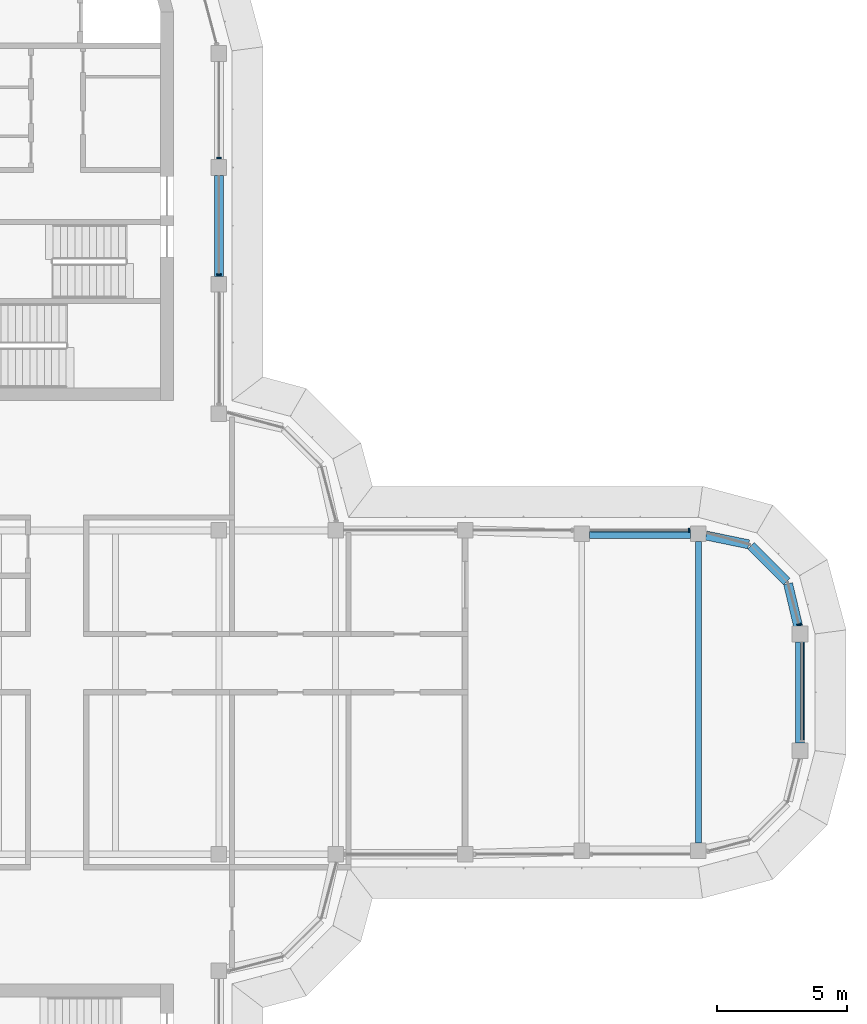
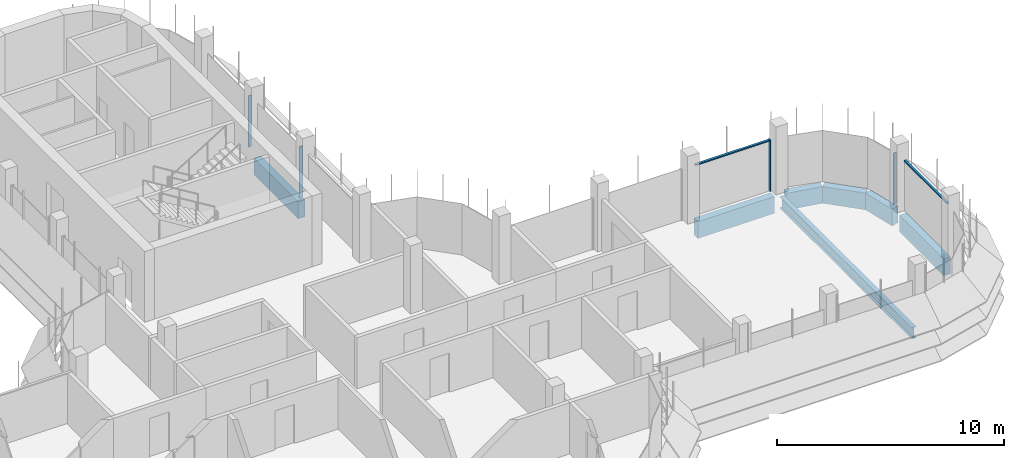
# One storey, part 9 of 19: 7 beams, 6 members, 4 elements without a shape of their own.
"""IFC4 building model written with IfcOpenShell, lengths in metres."""

import ifcopenshell
import ifcopenshell.guid

model = None  # the IFC model being written
_history = None  # IfcOwnerHistory: only IFC2X3 demands one
_inside = {}  # id of a spatial element -> (the spatial element, [elements in it])
_under = {}  # id of a project, library or spatial element -> (it, [spatial elements below it])
_declared = {}  # id of a project -> (the project, [libraries it declares])
_typed = {}  # id of a type object -> (the type object, [elements of that type])
_made_of = {}  # id of a material, layer set ... -> (it, [elements and type objects made of it])


def new_model(schema):
    """Start an empty IFC model of exactly this schema.

    Asked for "IFC4X3", IfcOpenShell would pick the latest addendum, in which some entities
    have other attributes; the version numbers below select the first issue.
    IFC2X3 requires an IfcOwnerHistory on every rooted entity: one is made here for all.
    """
    global model, _history
    if schema == "IFC4X3":
        model = ifcopenshell.file(schema_version=(4, 3, 0, 0))
    else:
        model = ifcopenshell.file(schema=schema)
    _inside.clear()
    _under.clear()
    _declared.clear()
    _typed.clear()
    _made_of.clear()
    _history = None
    if model.schema == "IFC2X3":
        org = make("IfcOrganization", Name="unknown")
        user = make(
            "IfcPersonAndOrganization",
            ThePerson=make("IfcPerson", FamilyName="unknown"),
            TheOrganization=org,
        )
        app = make(
            "IfcApplication",
            ApplicationDeveloper=org,
            Version="unknown",
            ApplicationFullName="unknown",
            ApplicationIdentifier="unknown",
        )
        _history = make(
            "IfcOwnerHistory",
            OwningUser=user,
            OwningApplication=app,
            ChangeAction="ADDED",
            CreationDate=0,
        )
    return model


def make(cls, **values):
    """One entity of the class cls with the attributes given. An attribute that is None is left unset."""
    return model.create_entity(
        cls, **{name: value for name, value in values.items() if value is not None}
    )


def rooted(cls, **values):
    """An entity with a GlobalId (a new one), such as an element, a storey or a relation."""
    return make(cls, GlobalId=ifcopenshell.guid.new(), OwnerHistory=_history, **values)


def si_unit(unit_type, name, prefix=None):
    """IfcSIUnit, for example si_unit("LENGTHUNIT", "METRE", prefix="MILLI")."""
    return make("IfcSIUnit", UnitType=unit_type, Prefix=prefix, Name=name)


def assignment(units):
    """IfcUnitAssignment: the units of a project."""
    return None if units is None else make("IfcUnitAssignment", Units=units)


def point(xyz):
    """IfcCartesianPoint."""
    return None if xyz is None else make("IfcCartesianPoint", Coordinates=xyz)


def direction(xyz):
    """IfcDirection."""
    return None if xyz is None else make("IfcDirection", DirectionRatios=xyz)


def frame(location, z_axis=None, x_axis=None):
    """IfcAxis2Placement3D, a coordinate frame: its origin and axes. An axis left out is left unset."""
    return make(
        "IfcAxis2Placement3D",
        Location=point(location),
        Axis=direction(z_axis),
        RefDirection=direction(x_axis),
    )


def frame_2d(location, x_axis=None):
    """IfcAxis2Placement2D, a coordinate frame in the plane: its origin and x axis."""
    return make(
        "IfcAxis2Placement2D", Location=point(location), RefDirection=direction(x_axis)
    )


def origin():
    """The frame at (0, 0, 0) with its axes left unset."""
    return frame((0.0, 0.0, 0.0))


def origin_2d():
    """The frame at (0, 0) in the plane with its x axis left unset."""
    return frame_2d((0.0, 0.0))


def place(relative_to, where):
    """IfcLocalPlacement: puts the frame where relative to a parent placement (None: the world)."""
    return make(
        "IfcLocalPlacement", PlacementRelTo=relative_to, RelativePlacement=where
    )


def context(
    kind, dimensions, precision=None, world=None, true_north=None, identifier=None
):
    """IfcGeometricRepresentationContext, for example the 3D "Model" context."""
    return make(
        "IfcGeometricRepresentationContext",
        ContextIdentifier=identifier,
        ContextType=kind,
        CoordinateSpaceDimension=dimensions,
        Precision=precision,
        WorldCoordinateSystem=world,
        TrueNorth=true_north,
    )


def subcontext(parent, identifier, kind, view, scale=None):
    """IfcGeometricRepresentationSubContext, for example "Body" below "Model"."""
    return make(
        "IfcGeometricRepresentationSubContext",
        ContextIdentifier=identifier,
        ContextType=kind,
        ParentContext=parent,
        TargetScale=scale,
        TargetView=view,
    )


def project(units=None, contexts=None):
    """IfcProject with its units and contexts."""
    return rooted(
        "IfcProject",
        Name="project",
        RepresentationContexts=contexts,
        UnitsInContext=assignment(units),
    )


def spatial(cls, under=None, at=None, **own):
    """A site, building, storey or space (cls), placed at a placement, below another one or the project."""
    s = rooted(cls, ObjectPlacement=at, **own)
    if under is not None:
        _under.setdefault(under.id(), (under, []))[1].append(s)
    return s


def polyline(points):
    """IfcPolyline through the points."""
    return make("IfcPolyline", Points=[point(p) for p in points])


def profile(cls, at=None, kind="AREA", **sizes):
    """A parametric profile (cls). Its sizes go by their IFC names, for example OverallWidth=200.0."""
    return make(cls, ProfileType=kind, Position=at, **sizes)


def rectangle(**sizes):
    """IfcRectangleProfileDef."""
    return profile("IfcRectangleProfileDef", **sizes)


def i_section(**sizes):
    """IfcIShapeProfileDef."""
    return profile("IfcIShapeProfileDef", **sizes)


def outline(outer, holes=None, kind="AREA"):
    """IfcArbitraryClosedProfileDef: a profile drawn as a closed curve; with holes, ...WithVoids."""
    if holes is None:
        return make("IfcArbitraryClosedProfileDef", ProfileType=kind, OuterCurve=outer)
    return make(
        "IfcArbitraryProfileDefWithVoids",
        ProfileType=kind,
        OuterCurve=outer,
        InnerCurves=holes,
    )


def extrude(swept, where, along, depth):
    """IfcExtrudedAreaSolid: the profile swept, set in the frame where, extruded along a direction by depth."""
    return make(
        "IfcExtrudedAreaSolid",
        SweptArea=swept,
        Position=where,
        ExtrudedDirection=direction(along),
        Depth=depth,
    )


def shape(context_of_items, identifier, shape_type, items):
    """IfcShapeRepresentation: the items that make up one representation, for example the "Body"."""
    return make(
        "IfcShapeRepresentation",
        ContextOfItems=context_of_items,
        RepresentationIdentifier=identifier,
        RepresentationType=shape_type,
        Items=items,
    )


def source(mapping_origin, context_of_items, identifier, shape_type, items):
    """IfcRepresentationMap: a shape defined once, which mapped items show again and again."""
    return make(
        "IfcRepresentationMap",
        MappingOrigin=mapping_origin,
        MappedRepresentation=shape(context_of_items, identifier, shape_type, items),
    )


def transform(
    local_origin,
    x_axis=None,
    y_axis=None,
    z_axis=None,
    scale=None,
    scale2=None,
    scale3=None,
    uniform=True,
):
    """IfcCartesianTransformationOperator3D, or its non-uniform kind. x_axis, y_axis, z_axis: its Axis1, 2, 3."""
    if uniform:
        return make(
            "IfcCartesianTransformationOperator3D",
            Axis1=direction(x_axis),
            Axis2=direction(y_axis),
            LocalOrigin=point(local_origin),
            Scale=scale,
            Axis3=direction(z_axis),
        )
    return make(
        "IfcCartesianTransformationOperator3DnonUniform",
        Axis1=direction(x_axis),
        Axis2=direction(y_axis),
        LocalOrigin=point(local_origin),
        Scale=scale,
        Axis3=direction(z_axis),
        Scale2=scale2,
        Scale3=scale3,
    )


def mapped(mapping_source, mapping_target):
    """IfcMappedItem: shows the shape of a source again, moved by a transform."""
    return make(
        "IfcMappedItem", MappingSource=mapping_source, MappingTarget=mapping_target
    )


def material(Name=None, Category=None):
    """IfcMaterial."""
    return make("IfcMaterial", Name=Name, Category=Category)


def material_profile(
    of_material, cross_section, Name=None, Category=None, Priority=None
):
    """IfcMaterialProfile: a cross section and its material."""
    return make(
        "IfcMaterialProfile",
        Name=Name,
        Material=of_material,
        Profile=cross_section,
        Priority=Priority,
        Category=Category,
    )


def profile_set(profiles, Name=None, composite=None):
    """IfcMaterialProfileSet."""
    return make(
        "IfcMaterialProfileSet",
        Name=Name,
        MaterialProfiles=profiles,
        CompositeProfile=composite,
    )


def made_of(thing, what):
    """Note that an element or type object is made of a material, layer set ...; save() writes the relation."""
    if what is not None:
        _made_of.setdefault(what.id(), (what, []))[1].append(thing)
    return thing


def type_object(cls, material=None, **own):
    """A type object (cls), such as IfcWallType, which elements share."""
    return made_of(rooted(cls, **own), material)


def element(
    cls,
    number,
    at=None,
    inside=None,
    cuts=None,
    type_object=None,
    material=None,
    context=None,
    identifier="Body",
    shape_type=None,
    held_by="IfcProductDefinitionShape",
    body=None,
    shapes=None,
    **own,
):
    """One element of the class cls, such as IfcWall. Its Tag is "e" and its number.

    at: its placement. inside: the storey or other place that contains it. cuts: it is an
    opening in that element (IfcRelVoidsElement). A single representation is given by context,
    identifier, shape_type and body (its items); several are given by shapes. held_by: the class
    of the entity that holds the representations. save() writes the other relations.
    """
    e = rooted(cls, Tag="e%d" % number, ObjectPlacement=at, **own)
    if body is not None:
        shapes = [shape(context, identifier, shape_type, body)]
    if shapes is not None:
        e.Representation = make(held_by, Representations=shapes)
    if inside is not None:
        _inside.setdefault(inside.id(), (inside, []))[1].append(e)
    if cuts is not None:
        rooted(
            "IfcRelVoidsElement", RelatingBuildingElement=cuts, RelatedOpeningElement=e
        )
    if type_object is not None:
        _typed.setdefault(type_object.id(), (type_object, []))[1].append(e)
    return made_of(e, material)


def aggregate(whole, parts):
    """IfcRelAggregates: a whole, such as a stair, and the parts it consists of."""
    return rooted("IfcRelAggregates", RelatingObject=whole, RelatedObjects=parts)


def save(model, path):
    """Write the relations noted so far, then the file.

    IfcRelAggregates (storeys below a building ...), IfcRelContainedInSpatialStructure (elements
    in a storey), IfcRelDefinesByType, IfcRelAssociatesMaterial and IfcRelDeclares: one each for
    every whole, place, type object, material and project.
    """
    for whole, parts in _under.values():
        aggregate(whole, parts)
    for where, things in _inside.values():
        rooted(
            "IfcRelContainedInSpatialStructure",
            RelatedElements=things,
            RelatingStructure=where,
        )
    for kind, things in _typed.values():
        rooted("IfcRelDefinesByType", RelatedObjects=things, RelatingType=kind)
    for what, things in _made_of.values():
        rooted("IfcRelAssociatesMaterial", RelatedObjects=things, RelatingMaterial=what)
    for by, libraries in _declared.values():
        rooted("IfcRelDeclares", RelatingContext=by, RelatedDefinitions=libraries)
    model.write(path)


model = new_model("IFC4")

# Units and contexts
model_context = context("Model", 3, precision=1e-05, world=origin(), true_north=direction((0.0, 1.0)))
body_context = subcontext(model_context, "Body", "Model", "MODEL_VIEW")
ifc_project = project(units=[si_unit("LENGTHUNIT", "METRE"), si_unit("AREAUNIT", "SQUARE_METRE"), si_unit("VOLUMEUNIT", "CUBIC_METRE"), si_unit("PLANEANGLEUNIT", "RADIAN"), si_unit("MASSUNIT", "GRAM", prefix="KILO")], contexts=[model_context])

# Site, building, storey
site_placement = place(None, origin())
site = spatial("IfcSite", under=ifc_project, at=site_placement, CompositionType="ELEMENT")
building_placement = place(site_placement, origin())
building = spatial("IfcBuilding", under=site, at=building_placement, Name="Zarbagh Exchange Tower", CompositionType="ELEMENT")
storey_placement = place(building_placement, frame((0.0, 0.0, 253.60009765625)))
storey = spatial("IfcBuildingStorey", under=building, at=storey_placement, Name="L62", CompositionType="ELEMENT", Elevation=253.60009765625)

# Beams
ifc_material_1 = material(Name="Steel ASTM A992 Gr 50", Category="steel")
ifc_material_profile_1 = material_profile(ifc_material_1, i_section(OverallWidth=0.228271484375, OverallDepth=0.607177734375, WebThickness=0.01123046875, FlangeThickness=0.017333984375, at=origin_2d()), Name="W24X76")
ifc_profile_set_1 = profile_set([ifc_material_profile_1], Name="Steel ASTM A992 Gr 50")
beam_type_1 = type_object("IfcBeamType", Name="Floor beam W24X76", PredefinedType="BEAM", material=ifc_profile_set_1)
beam_1_placement = place(storey_placement, frame((24.75, -5.81005859375, -0.45361328125), z_axis=(0.0, 1.0, 0.0), x_axis=(-1.0, 0.0, 0.0)))
element("IfcBeam", 1, at=beam_1_placement, inside=storey, type_object=beam_type_1, Name="Steel floor beam", PredefinedType="BEAM", context=body_context, shape_type="SweptSolid", body=[
    extrude(i_section(OverallWidth=0.228271484375, OverallDepth=0.607177734375, WebThickness=0.01123046875, FlangeThickness=0.017333984375, at=origin_2d()), origin(), (0.0, 0.0, 1.0), 11.6201171875),
])
ifc_material_2 = material(Name="Concrete C40/50", Category="concrete")
ifc_material_profile_2 = material_profile(ifc_material_2, rectangle(XDim=0.35009765625, YDim=0.89990234375, at=origin_2d()), Name="RC spandrel beam 350 x 900 C40/50")
ifc_profile_set_2 = profile_set([ifc_material_profile_2], Name="Concrete C40/50")
beam_type_2 = type_object("IfcBeamType", Name="RC spandrel beam 350 x 900 C40/50", PredefinedType="SPANDREL", material=ifc_profile_set_2)
for number, where, z_axis, x_axis, name in (
    (2, (6.25, 19.949951171875, -0.60009765625), (0.0, -1.0, 0.0), (1.0, 0.0, 0.0), "RC spandrel beam"),
    (3, (20.550048828125, 6.110107421875, -0.60009765625), (1.0, 0.0, 0.0), (0.0, 1.0, 0.0), "RC spandrel beam"),
):
    element("IfcBeam", number, at=place(storey_placement, frame(where, z_axis=z_axis, x_axis=x_axis)), inside=storey, type_object=beam_type_2, Name=name, PredefinedType="SPANDREL", context=body_context, shape_type="SweptSolid", body=[
        extrude(rectangle(XDim=0.35009765625, YDim=0.89990234375, at=origin_2d()), origin(), (0.0, 0.0, 1.0), 3.89990234375),
    ])
beam_2_placement = place(storey_placement, frame((25.043701171875, 6.04931640625, -0.60009765625), z_axis=(0.979349753205, -0.202173343684, 0.0), x_axis=(0.202173343684, 0.979349753205, 0.0)))
element("IfcBeam", 4, at=beam_2_placement, inside=storey, type_object=beam_type_2, Name="RC spandrel beam", PredefinedType="SPANDREL", context=body_context, shape_type="SweptSolid", body=[
    extrude(rectangle(XDim=0.35009765625, YDim=0.89990234375, at=origin_2d()), origin(), (0.0, 0.0, 1.0), 1.680908203125),
])
beam_3_placement = place(storey_placement, frame((26.7783203125, 5.661865234375, -0.60009765625), z_axis=(0.707106781187, -0.707106781187, 0.0), x_axis=(0.707106781187, 0.707106781187, 0.0)))
element("IfcBeam", 5, at=beam_3_placement, inside=storey, type_object=beam_type_2, Name="RC spandrel beam", PredefinedType="SPANDREL", context=body_context, shape_type="SweptSolid", body=[
    extrude(rectangle(XDim=0.35009765625, YDim=0.89990234375, at=origin_2d()), origin(), (0.0, 0.0, 1.0), 1.95947265625),
])
beam_4_placement = place(storey_placement, frame((28.210205078125, 4.19287109375, -0.60009765625), z_axis=(0.230258391117, -0.973129525459, 0.0), x_axis=(0.973129525459, 0.230258391117, 0.0)))
element("IfcBeam", 6, at=beam_4_placement, inside=storey, type_object=beam_type_2, Name="RC spandrel beam", PredefinedType="SPANDREL", context=body_context, shape_type="SweptSolid", body=[
    extrude(rectangle(XDim=0.35009765625, YDim=0.89990234375, at=origin_2d()), origin(), (0.0, 0.0, 1.0), 1.696533203125),
])
beam_5_placement = place(storey_placement, frame((28.669921875, 1.949951171875, -0.60009765625), z_axis=(0.0, -1.0, 0.0), x_axis=(1.0, 0.0, 0.0)))
element("IfcBeam", 7, at=beam_5_placement, inside=storey, type_object=beam_type_2, Name="RC spandrel beam", PredefinedType="SPANDREL", context=body_context, shape_type="SweptSolid", body=[
    extrude(rectangle(XDim=0.35009765625, YDim=0.89990234375, at=origin_2d()), origin(), (0.0, 0.0, 1.0), 3.89990234375),
])

# Curtain wall, member
ifc_material_3 = material(Name="Anodised aluminium frame and glazing", Category="aluminium")
curtain_wall_type = type_object("IfcCurtainWallType", Name="CWB Ribbon glazing, upper zones", PredefinedType="NOTDEFINED", material=ifc_material_3)
curtain_wall_1_placement = place(storey_placement, origin())
curtain_wall_1 = element("IfcCurtainWall", 8, at=curtain_wall_1_placement, inside=storey, type_object=curtain_wall_type, Name="CWB79 curtain wall", PredefinedType="NOTDEFINED")
ifc_material_4 = material(Name="Anodised aluminium frame", Category="aluminium")
member_type_1 = type_object("IfcMemberType", Name="MUB Mullion, anodised aluminium frame", PredefinedType="MULLION", material=ifc_material_4)
shared_shape_1 = source(origin(), body_context, "Body", "SweptSolid", [
    extrude(outline(polyline([(0.0, -0.080078125), (0.06005859375, -0.080078125), (0.06005859375, 0.080078125), (0.0, 0.080078125), (0.0, -0.080078125)])), origin(), (0.0, 0.0, 1.0), 2.75),
])
placement = place(storey_placement, origin())
member_1 = element("IfcMember", 9, at=placement, type_object=member_type_1, Name="CWB79 mullion 1.1", PredefinedType="MULLION", context=body_context, shape_type="MappedRepresentation", body=[
    mapped(shared_shape_1, transform((28.641357421875, 2.58984375, 0.0), x_axis=(-0.258824779902, 0.965924289636, 0.0), y_axis=(-0.965924289636, -0.258824779902, 0.0), z_axis=(0.0, 0.0, 1.0))),
])
aggregate(curtain_wall_1, [member_1])

curtain_wall_2_placement = place(storey_placement, origin())
curtain_wall_2 = element("IfcCurtainWall", 10, at=curtain_wall_2_placement, inside=storey, type_object=curtain_wall_type, Name="CWB82 curtain wall", PredefinedType="NOTDEFINED")
member_2 = element("IfcMember", 11, at=placement, type_object=member_type_1, Name="CWB82 mullion 1.1", PredefinedType="MULLION", context=body_context, shape_type="MappedRepresentation", body=[
    mapped(shared_shape_1, transform((24.409912109375, 6.25, 0.0), x_axis=(-1.0, 0.0, 0.0), y_axis=(0.0, -1.0, 0.0), z_axis=(0.0, 0.0, 1.0))),
])

# Curtain wall, members
curtain_wall_3_placement = place(storey_placement, origin())
curtain_wall_3 = element("IfcCurtainWall", 12, at=curtain_wall_3_placement, inside=storey, type_object=curtain_wall_type, Name="CWB67 curtain wall", PredefinedType="NOTDEFINED")
member_3 = element("IfcMember", 13, at=placement, type_object=member_type_1, Name="CWB67 mullion 2.1", PredefinedType="MULLION", context=body_context, shape_type="MappedRepresentation", body=[
    mapped(shared_shape_1, transform((6.25, 16.090087890625, 0.0), x_axis=(0.0, 1.0, 0.0), y_axis=(-1.0, 0.0, 0.0), z_axis=(0.0, 0.0, 1.0))),
])
member_4 = element("IfcMember", 14, at=placement, type_object=member_type_1, Name="CWB67 mullion 3.1", PredefinedType="MULLION", context=body_context, shape_type="MappedRepresentation", body=[
    mapped(shared_shape_1, transform((6.25, 20.590087890625, 0.0), x_axis=(0.0, 1.0, 0.0), y_axis=(-1.0, 0.0, 0.0), z_axis=(0.0, 0.0, 1.0))),
])
aggregate(curtain_wall_3, [member_3, member_4])

# Curtain wall, member
curtain_wall_4_placement = place(storey_placement, origin())
curtain_wall_4 = element("IfcCurtainWall", 15, at=curtain_wall_4_placement, inside=storey, type_object=curtain_wall_type, Name="CWB83 curtain wall", PredefinedType="NOTDEFINED")
member_type_2 = type_object("IfcMemberType", Name="TRB Transom, anodised aluminium frame", PredefinedType="USERDEFINED", material=ifc_material_4)
shared_shape_2 = source(origin(), body_context, "Body", "SweptSolid", [
    extrude(outline(polyline([(-0.06005859375, -0.06005859375), (0.0, -0.06005859375), (0.0, 0.06005859375), (-0.06005859375, 0.06005859375), (-0.06005859375, -0.06005859375)])), origin(), (0.0, 0.0, 1.0), 3.760009765625),
])
member_5 = element("IfcMember", 16, at=placement, type_object=member_type_2, Name="CWB83 transom 1.1", ObjectType="TRANSOM", PredefinedType="USERDEFINED", context=body_context, shape_type="MappedRepresentation", body=[
    mapped(shared_shape_2, transform((28.75, -1.849853515625, 2.75), x_axis=(0.0, 0.0, 1.0), y_axis=(1.0, 0.0, 0.0), z_axis=(0.0, 1.0, 0.0))),
])
aggregate(curtain_wall_4, [member_5])

# Member
member_6 = element("IfcMember", 17, at=placement, type_object=member_type_2, Name="CWB82 transom 1.1", ObjectType="TRANSOM", PredefinedType="USERDEFINED", context=body_context, shape_type="MappedRepresentation", body=[
    mapped(shared_shape_2, transform((24.349853515625, 6.25, 2.75), x_axis=(0.0, 0.0, 1.0), y_axis=(0.0, 1.0, 0.0), z_axis=(-1.0, 0.0, 0.0))),
])

aggregate(curtain_wall_2, [member_2, member_6])

save(model, "model.ifc")
